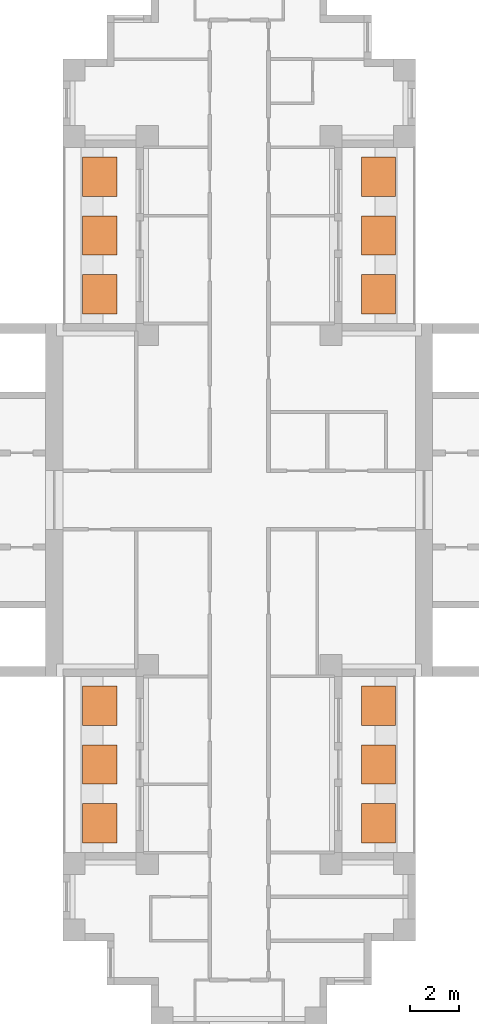
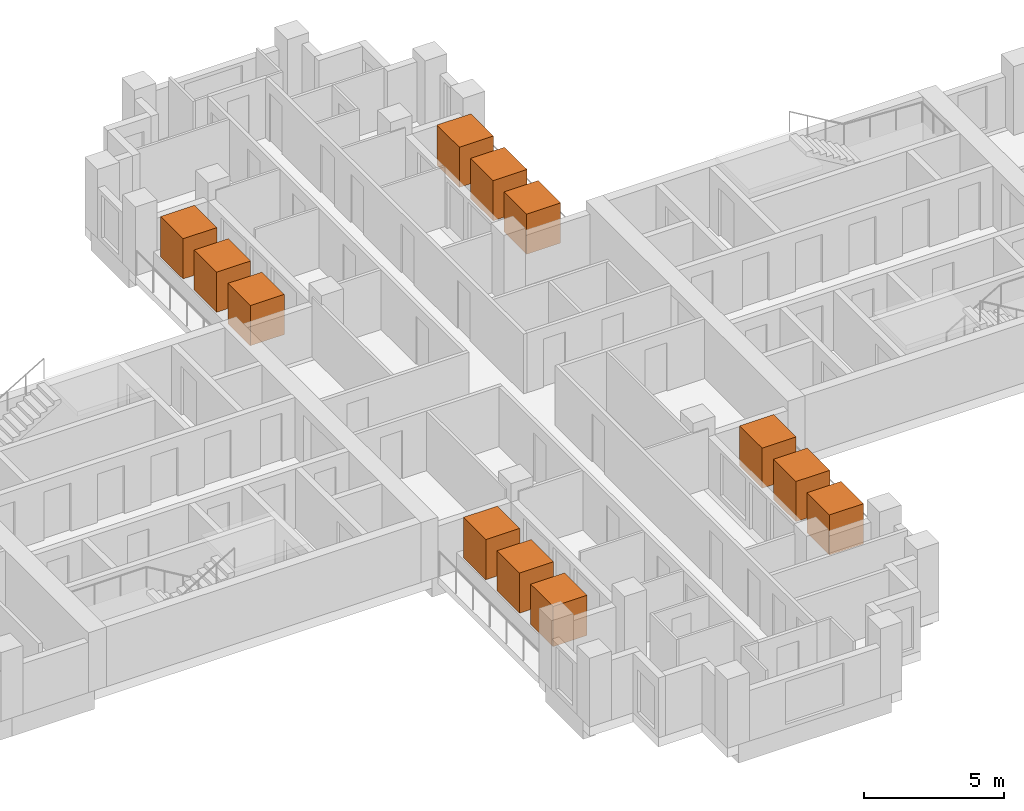
# One storey, part 10 of 10: 12 geographic elements.
"""IFC4 building model written with IfcOpenShell, lengths in metres."""

from ifc_helpers import new_model, si_unit, direction, frame, origin, origin_2d, place, context, subcontext, project, spatial, rectangle, extrude, material, element, save


model = new_model("IFC4")

# Units and contexts
model_context = context("Model", 3, precision=1e-05, world=origin(), true_north=direction((0.0, 1.0)))
body_context = subcontext(model_context, "Body", "Model", "MODEL_VIEW")
ifc_project = project(units=[si_unit("LENGTHUNIT", "METRE"), si_unit("AREAUNIT", "SQUARE_METRE"), si_unit("VOLUMEUNIT", "CUBIC_METRE"), si_unit("PLANEANGLEUNIT", "RADIAN"), si_unit("MASSUNIT", "GRAM", prefix="KILO")], contexts=[model_context])

# Site, building, storey
site_placement = place(None, origin())
site = spatial("IfcSite", under=ifc_project, at=site_placement, CompositionType="ELEMENT")
building_placement = place(site_placement, origin())
building = spatial("IfcBuilding", under=site, at=building_placement, Name="Fustian Cross Tower", CompositionType="ELEMENT")
storey_placement = place(building_placement, frame((0.0, 0.0, 185.699951171875)))
storey = spatial("IfcBuildingStorey", under=building, at=storey_placement, Name="L58", CompositionType="ELEMENT", Elevation=185.699951171875)

# Geographic elements
ifc_material = material(Name="Evergreen foliage")
for number, where, z_axis, x_axis, name in (
    (1, (5.68994140625, 8.39990234375, 0.800048828125), (0.0, 0.0, 1.0), (1.0, 0.0, 0.0), "TREE field maple"),
    (2, (5.68994140625, 10.800048828125, 0.800048828125), (0.0, 0.0, 1.0), (1.0, 0.0, 0.0), "TREE field maple"),
    (3, (5.68994140625, 13.199951171875, 0.800048828125), (0.0, 0.0, 1.0), (1.0, 0.0, 0.0), "TREE field maple"),
    (4, (-5.68994140625, 8.39990234375, 0.800048828125), (0.0, 0.0, 1.0), (1.0, 0.0, 0.0), "TREE field maple"),
    (5, (-5.68994140625, 10.800048828125, 0.800048828125), (0.0, 0.0, 1.0), (1.0, 0.0, 0.0), "TREE field maple"),
    (6, (-5.68994140625, 13.199951171875, 0.800048828125), (0.0, 0.0, 1.0), (1.0, 0.0, 0.0), "TREE field maple"),
    (7, (5.68994140625, -13.199951171875, 0.800048828125), (0.0, 0.0, 1.0), (1.0, 0.0, 0.0), "TREE field maple"),
    (8, (5.68994140625, -10.800048828125, 0.800048828125), (0.0, 0.0, 1.0), (1.0, 0.0, 0.0), "TREE field maple"),
    (9, (5.68994140625, -8.39990234375, 0.800048828125), (0.0, 0.0, 1.0), (1.0, 0.0, 0.0), "TREE field maple"),
    (10, (-5.68994140625, -13.199951171875, 0.800048828125), (0.0, 0.0, 1.0), (1.0, 0.0, 0.0), "TREE field maple"),
    (11, (-5.68994140625, -10.800048828125, 0.800048828125), (0.0, 0.0, 1.0), (1.0, 0.0, 0.0), "TREE field maple"),
    (12, (-5.68994140625, -8.39990234375, 0.800048828125), (0.0, 0.0, 1.0), (1.0, 0.0, 0.0), "TREE field maple"),
):
    element("IfcGeographicElement", number, at=place(storey_placement, frame(where, z_axis=z_axis, x_axis=x_axis)), inside=storey, material=ifc_material, Name=name, ObjectType="VEGETATION", PredefinedType="USERDEFINED", context=body_context, shape_type="SweptSolid", body=[
        extrude(rectangle(XDim=1.39990234375, YDim=1.60009765625, at=origin_2d()), origin(), (0.0, 0.0, 1.0), 1.75),
    ])

save(model, "model.ifc")
